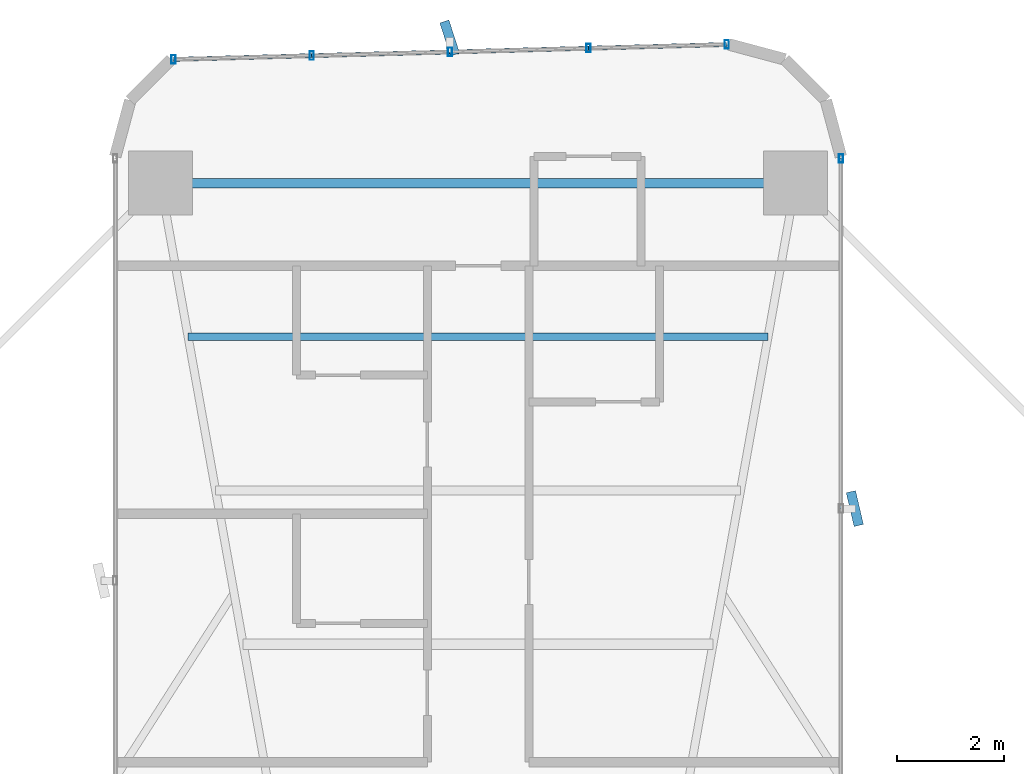
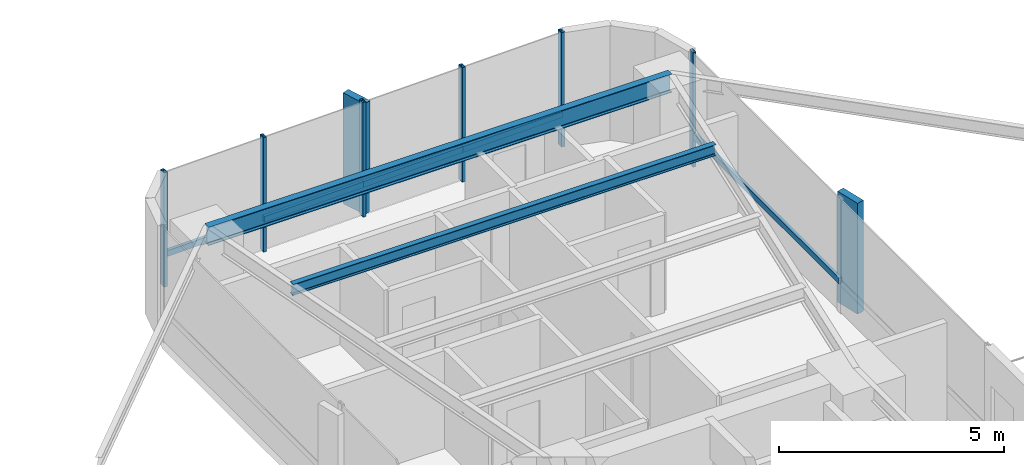
# One storey, part 19 of 26: 13 members, 2 beams, 2 elements without a shape of their own.
"""IFC4 building model written with IfcOpenShell, lengths in metres."""

from ifc_helpers import new_model, si_unit, direction, frame, origin, origin_2d, place, context, subcontext, project, spatial, rectangle, hollow_rectangle, i_section, extrude, source, transform, mapped, material, material_profile, profile_set, type_object, element, aggregate, save


model = new_model("IFC4")

# Units and contexts
model_context = context("Model", 3, precision=1e-05, world=origin(), true_north=direction((0.0, 1.0)))
body_context = subcontext(model_context, "Body", "Model", "MODEL_VIEW")
ifc_project = project(units=[si_unit("LENGTHUNIT", "METRE"), si_unit("AREAUNIT", "SQUARE_METRE"), si_unit("VOLUMEUNIT", "CUBIC_METRE"), si_unit("PLANEANGLEUNIT", "RADIAN"), si_unit("MASSUNIT", "GRAM", prefix="KILO")], contexts=[model_context])

# Site, building, storey
site_placement = place(None, origin())
site = spatial("IfcSite", under=ifc_project, at=site_placement, CompositionType="ELEMENT")
building_placement = place(site_placement, origin())
building = spatial("IfcBuilding", under=site, at=building_placement, Name="Sahyath Konkavel Grand Hotel", CompositionType="ELEMENT")
storey_placement = place(building_placement, frame((0.0, 0.0, 29.800048828125)))
storey = spatial("IfcBuildingStorey", under=building, at=storey_placement, Name="L07", CompositionType="ELEMENT", Elevation=29.800048828125)

# Beams
ifc_material_1 = material(Name="Steel E350", Category="steel")
ifc_material_profile_1 = material_profile(ifc_material_1, i_section(OverallWidth=0.179931640625, OverallDepth=0.5, WebThickness=0.01025390625, FlangeThickness=0.01708984375, FilletRadius=0.01708984375, at=origin_2d()), Name="ISMB 500")
ifc_profile_set_1 = profile_set([ifc_material_profile_1], Name="Steel E350")
beam_type_1 = type_object("IfcBeamType", Name="BM-ISMB500", PredefinedType="BEAM", material=ifc_profile_set_1)
shared_shape_1 = source(origin(), body_context, "Body", "SweptSolid", [
    extrude(i_section(OverallWidth=0.179931640625, OverallDepth=0.5, WebThickness=0.01025390625, FlangeThickness=0.01708984375, FilletRadius=0.01708984375, at=origin_2d()), origin(), (0.0, 0.0, 1.0), 11.89990234375),
])
beam_1_placement = place(storey_placement, frame((5.949951171875, 22.199951171875, 2.85986328125), z_axis=(-1.0, 0.0, 0.0), x_axis=(0.0, -1.0, 0.0)))
element("IfcBeam", 1, at=beam_1_placement, inside=storey, type_object=beam_type_1, Name="L07 Wing Tip Edge Beam N", PredefinedType="BEAM", context=body_context, shape_type="MappedRepresentation", body=[
    mapped(shared_shape_1, transform((0.0, 0.0, 0.0), scale=1.0)),
])
ifc_material_profile_2 = material_profile(ifc_material_1, i_section(OverallWidth=0.139892578125, OverallDepth=0.300048828125, WebThickness=0.0078125, FlangeThickness=0.01318359375, FilletRadius=0.013916015625, at=origin_2d()), Name="ISMB 300")
ifc_profile_set_2 = profile_set([ifc_material_profile_2], Name="Steel E350")
beam_type_2 = type_object("IfcBeamType", Name="BM-ISMB300", PredefinedType="BEAM", material=ifc_profile_set_2)
shared_shape_2 = source(origin(), body_context, "Body", "SweptSolid", [
    extrude(i_section(OverallWidth=0.139892578125, OverallDepth=0.300048828125, WebThickness=0.0078125, FlangeThickness=0.01318359375, FilletRadius=0.013916015625, at=origin_2d()), origin(), (0.0, 0.0, 1.0), 10.8681640625),
])
beam_2_placement = place(storey_placement, frame((5.43408203125, 19.320068359375, 2.9599609375), z_axis=(-1.0, 0.0, 0.0), x_axis=(0.0, -1.0, 0.0)))
element("IfcBeam", 2, at=beam_2_placement, inside=storey, type_object=beam_type_2, Name="L07 Secondary Floor Beam N-3", PredefinedType="BEAM", context=body_context, shape_type="MappedRepresentation", body=[
    mapped(shared_shape_2, transform((0.0, 0.0, 0.0), scale=1.0)),
])

# Curtain wall, member
ifc_material_2 = material(Name="Anodised Bronze Aluminium & Low-E Glazing", Category="aluminium")
curtain_wall_type = type_object("IfcCurtainWallType", Name="CW-ZONE1", PredefinedType="NOTDEFINED", material=ifc_material_2)
curtain_wall_1_placement = place(storey_placement, origin())
curtain_wall_1 = element("IfcCurtainWall", 3, at=curtain_wall_1_placement, inside=storey, type_object=curtain_wall_type, Name="L07 Unitised Curtain Wall F8", PredefinedType="NOTDEFINED")
ifc_material_3 = material(Name="Anodised Bronze Aluminium", Category="aluminium")
ifc_material_profile_3 = material_profile(ifc_material_3, hollow_rectangle(XDim=0.080078125, YDim=0.159912109375, WallThickness=0.006103515625, at=origin_2d()), Name="RHS 160x80x6")
ifc_profile_set_3 = profile_set([ifc_material_profile_3], Name="Anodised Bronze Aluminium")
member_type_1 = type_object("IfcMemberType", Name="CW-MUL-160", PredefinedType="MULLION", material=ifc_profile_set_3)
shared_shape_3 = source(origin(), body_context, "Body", "SweptSolid", [
    extrude(hollow_rectangle(XDim=0.080078125, YDim=0.159912109375, WallThickness=0.006103515625, at=origin_2d()), origin(), (0.0, 0.0, 1.0), 3.10986328125),
])
member_1_placement = place(storey_placement, frame((6.800048828125, 22.659912109375, 0.0), z_axis=(0.0, 0.0, 1.0), x_axis=(1.0, 0.0, 0.0)))
member_1 = element("IfcMember", 4, at=member_1_placement, type_object=member_type_1, Name="L07 Curtain Wall Mullion F8-2", PredefinedType="MULLION", context=body_context, shape_type="MappedRepresentation", body=[
    mapped(shared_shape_3, transform((0.0, 0.0, 0.0), scale=1.0)),
])

# Curtain wall, members
curtain_wall_2_placement = place(storey_placement, origin())
curtain_wall_2 = element("IfcCurtainWall", 5, at=curtain_wall_2_placement, inside=storey, type_object=curtain_wall_type, Name="L07 Unitised Curtain Wall F12", PredefinedType="NOTDEFINED")
member_2_placement = place(storey_placement, frame((4.659912109375, 24.798828125, 0.0), z_axis=(0.0, 0.0, 1.0), x_axis=(1.0, 0.0, 0.0)))
member_2 = element("IfcMember", 6, at=member_2_placement, type_object=member_type_1, Name="L07 Curtain Wall Mullion F12-0", PredefinedType="MULLION", context=body_context, shape_type="MappedRepresentation", body=[
    mapped(shared_shape_3, transform((0.0, 0.0, 0.0), scale=1.0)),
])
member_3_placement = place(storey_placement, frame((2.0673828125, 24.72900390625, 0.0), z_axis=(0.0, 0.0, 1.0), x_axis=(1.0, 0.0, 0.0)))
member_3 = element("IfcMember", 7, at=member_3_placement, type_object=member_type_1, Name="L07 Curtain Wall Mullion F12-1", PredefinedType="MULLION", context=body_context, shape_type="MappedRepresentation", body=[
    mapped(shared_shape_3, transform((0.0, 0.0, 0.0), scale=1.0)),
])
member_4_placement = place(storey_placement, frame((-0.52490234375, 24.6591796875, 0.0), z_axis=(0.0, 0.0, 1.0), x_axis=(1.0, 0.0, 0.0)))
member_4 = element("IfcMember", 8, at=member_4_placement, type_object=member_type_1, Name="L07 Curtain Wall Mullion F12-2", PredefinedType="MULLION", context=body_context, shape_type="MappedRepresentation", body=[
    mapped(shared_shape_3, transform((0.0, 0.0, 0.0), scale=1.0)),
])
member_5_placement = place(storey_placement, frame((-3.117431640625, 24.589599609375, 0.0), z_axis=(0.0, 0.0, 1.0), x_axis=(1.0, 0.0, 0.0)))
member_5 = element("IfcMember", 9, at=member_5_placement, type_object=member_type_1, Name="L07 Curtain Wall Mullion F12-3", PredefinedType="MULLION", context=body_context, shape_type="MappedRepresentation", body=[
    mapped(shared_shape_3, transform((0.0, 0.0, 0.0), scale=1.0)),
])
member_6_placement = place(storey_placement, frame((-5.7099609375, 24.519775390625, 0.0), z_axis=(0.0, 0.0, 1.0), x_axis=(1.0, 0.0, 0.0)))
member_6 = element("IfcMember", 10, at=member_6_placement, type_object=member_type_1, Name="L07 Curtain Wall Mullion F12-4", PredefinedType="MULLION", context=body_context, shape_type="MappedRepresentation", body=[
    mapped(shared_shape_3, transform((0.0, 0.0, 0.0), scale=1.0)),
])

# Member
ifc_material_4 = material(Name="Warm Buff Sandstone Cladding on Concrete C50/60", Category="masonry")
ifc_material_profile_4 = material_profile(ifc_material_4, rectangle(XDim=0.179931640625, YDim=0.64990234375, at=origin_2d()), Name="FIN 180x650")
ifc_profile_set_4 = profile_set([ifc_material_profile_4], Name="Warm Buff Sandstone Cladding on Concrete C50/60")
member_type_2 = type_object("IfcMemberType", Name="FIN-SANDSTONE-650", PredefinedType="MULLION", material=ifc_profile_set_4)
shared_shape_4 = source(origin(), body_context, "Body", "SweptSolid", [
    extrude(rectangle(XDim=0.179931640625, YDim=0.64990234375, at=origin_2d()), origin(), (0.0, 0.0, 1.0), 3.010009765625),
])
member_7_placement = place(storey_placement, frame((7.06005859375, 16.10009765625, 0.050048828125), z_axis=(0.0, 0.0, 1.0), x_axis=(0.973896791711, 0.226991275371, 0.0)))
member_7 = element("IfcMember", 11, at=member_7_placement, type_object=member_type_2, Name="L07 Sandstone Vertical Solar Fin FIN F8-1", PredefinedType="MULLION", context=body_context, shape_type="MappedRepresentation", body=[
    mapped(shared_shape_4, transform((0.0, 0.0, 0.0), scale=1.0)),
])

member_8_placement = place(storey_placement, frame((-0.531982421875, 24.919189453125, 0.050048828125), z_axis=(0.0, 0.0, 1.0), x_axis=(0.951110435449, 0.308850998993, 0.0)))
member_8 = element("IfcMember", 12, at=member_8_placement, type_object=member_type_2, Name="L07 Sandstone Vertical Solar Fin FIN F12-2", PredefinedType="MULLION", context=body_context, shape_type="MappedRepresentation", body=[
    mapped(shared_shape_4, transform((0.0, 0.0, 0.0), scale=1.0)),
])

ifc_material_profile_5 = material_profile(ifc_material_3, hollow_rectangle(XDim=0.080078125, YDim=0.159912109375, WallThickness=0.006103515625, at=origin_2d()), Name="RHS 160x80x6")
ifc_profile_set_5 = profile_set([ifc_material_profile_5], Name="Anodised Bronze Aluminium")
member_type_3 = type_object("IfcMemberType", Name="CW-TRN-160", PredefinedType="USERDEFINED", material=ifc_profile_set_5)
shared_shape_5 = source(origin(), body_context, "Body", "SweptSolid", [
    extrude(hollow_rectangle(XDim=0.080078125, YDim=0.159912109375, WallThickness=0.006103515625, at=origin_2d()), origin(), (0.0, 0.0, 1.0), 2.593505859375),
])
member_9_placement = place(storey_placement, frame((4.659912109375, 24.798828125, 0.849853515625), z_axis=(-0.999637507825, -0.026923093252, 0.0), x_axis=(0.026923093252, -0.999637507825, 0.0)))
member_9 = element("IfcMember", 13, at=member_9_placement, type_object=member_type_3, Name="L07 Curtain Wall Transom F12-0-spandrel", ObjectType="TRANSOM", PredefinedType="USERDEFINED", context=body_context, shape_type="MappedRepresentation", body=[
    mapped(shared_shape_5, transform((0.0, 0.0, 0.0), scale=1.0)),
])

member_10_placement = place(storey_placement, frame((-0.52490234375, 24.6591796875, 0.849853515625), z_axis=(-0.999640036937, -0.02682902444, 0.0), x_axis=(0.02682902444, -0.999640036937, 0.0)))
member_10 = element("IfcMember", 14, at=member_10_placement, type_object=member_type_3, Name="L07 Curtain Wall Transom F12-2-spandrel", ObjectType="TRANSOM", PredefinedType="USERDEFINED", context=body_context, shape_type="MappedRepresentation", body=[
    mapped(shared_shape_5, transform((0.0, 0.0, 0.0), scale=1.0)),
])

member_11_placement = place(storey_placement, frame((-3.117431640625, 24.589599609375, 0.849853515625), z_axis=(-0.999637507825, -0.026923093252, 0.0), x_axis=(0.026923093252, -0.999637507825, 0.0)))
member_11 = element("IfcMember", 15, at=member_11_placement, type_object=member_type_3, Name="L07 Curtain Wall Transom F12-3-spandrel", ObjectType="TRANSOM", PredefinedType="USERDEFINED", context=body_context, shape_type="MappedRepresentation", body=[
    mapped(shared_shape_5, transform((0.0, 0.0, 0.0), scale=1.0)),
])

shared_shape_6 = source(origin(), body_context, "Body", "SweptSolid", [
    extrude(hollow_rectangle(XDim=0.080078125, YDim=0.159912109375, WallThickness=0.006103515625, at=origin_2d()), origin(), (0.0, 0.0, 1.0), 2.59326171875),
])
member_12_placement = place(storey_placement, frame((2.0673828125, 24.72900390625, 0.849853515625), z_axis=(-0.99963743958, -0.026925627022, 0.0), x_axis=(0.026925627022, -0.99963743958, 0.0)))
member_12 = element("IfcMember", 16, at=member_12_placement, type_object=member_type_3, Name="L07 Curtain Wall Transom F12-1-spandrel", ObjectType="TRANSOM", PredefinedType="USERDEFINED", context=body_context, shape_type="MappedRepresentation", body=[
    mapped(shared_shape_6, transform((0.0, 0.0, 0.0), scale=1.0)),
])

aggregate(curtain_wall_2, [member_2, member_3, member_4, member_8, member_5, member_6, member_9, member_12, member_10, member_11])

shared_shape_7 = source(origin(), body_context, "Body", "SweptSolid", [
    extrude(hollow_rectangle(XDim=0.080078125, YDim=0.159912109375, WallThickness=0.006103515625, at=origin_2d()), origin(), (0.0, 0.0, 1.0), 6.559814453125),
])
member_13_placement = place(storey_placement, frame((6.800048828125, 16.10009765625, 0.849853515625), z_axis=(0.0, 1.0, 0.0), x_axis=(-1.0, 0.0, 0.0)))
member_13 = element("IfcMember", 17, at=member_13_placement, type_object=member_type_3, Name="L07 Curtain Wall Transom F8-1-spandrel", ObjectType="TRANSOM", PredefinedType="USERDEFINED", context=body_context, shape_type="MappedRepresentation", body=[
    mapped(shared_shape_7, transform((0.0, 0.0, 0.0), scale=1.0)),
])

aggregate(curtain_wall_1, [member_7, member_1, member_13])

save(model, "model.ifc")
